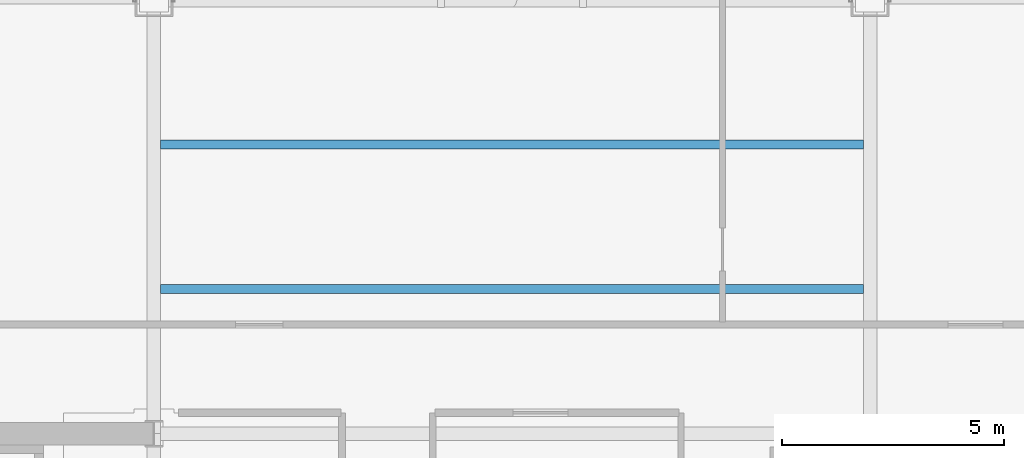
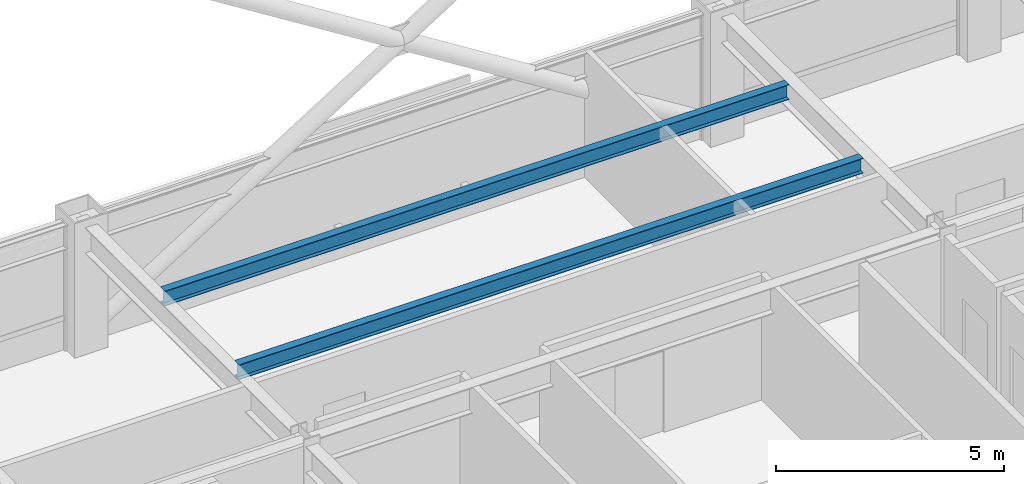
# One storey, part 22 of 34: 2 beams.
"""IFC4 building model written with IfcOpenShell, lengths in metres."""

from ifc_helpers import new_model, si_unit, direction, frame, origin, origin_2d, place, context, subcontext, project, spatial, i_section, extrude, material, material_profile, profile_set, type_object, element, save


model = new_model("IFC4")

# Units and contexts
model_context = context("Model", 3, precision=1e-05, world=origin(), true_north=direction((0.0, 1.0)))
body_context = subcontext(model_context, "Body", "Model", "MODEL_VIEW")
ifc_project = project(units=[si_unit("LENGTHUNIT", "METRE"), si_unit("AREAUNIT", "SQUARE_METRE"), si_unit("VOLUMEUNIT", "CUBIC_METRE"), si_unit("PLANEANGLEUNIT", "RADIAN"), si_unit("MASSUNIT", "GRAM", prefix="KILO")], contexts=[model_context])

# Site, building, storey
site_placement = place(None, origin())
site = spatial("IfcSite", under=ifc_project, at=site_placement, CompositionType="ELEMENT")
building_placement = place(site_placement, origin())
building = spatial("IfcBuilding", under=site, at=building_placement, Name="Brelmoor Portico Tower", CompositionType="ELEMENT")
storey_placement = place(building_placement, frame((0.0, 0.0, 99.0)))
storey = spatial("IfcBuildingStorey", under=building, at=storey_placement, Name="L25", CompositionType="ELEMENT", Elevation=99.0)

# Beams
ifc_material = material(Name="Steel Q355B", Category="steel")
ifc_material_profile = material_profile(ifc_material, i_section(OverallWidth=0.199951171875, OverallDepth=0.39990234375, WebThickness=0.008056640625, FlangeThickness=0.012939453125, at=origin_2d()), Name="HN 400x200x8x13")
ifc_profile_set = profile_set([ifc_material_profile], Name="Steel Q355B")
beam_type = type_object("IfcBeamType", Name="BM-JS-400", PredefinedType="JOIST", material=ifc_profile_set)
for number, where, z_axis, x_axis, name in (
    (1, (-7.89990234375, 13.0, 3.199951171875), (1.0, 0.0, 0.0), (0.0, 1.0, 0.0), "L25 Secondary Composite Joist JS-C03"),
    (2, (-7.89990234375, 16.25, 3.199951171875), (1.0, 0.0, 0.0), (0.0, 1.0, 0.0), "L25 Secondary Composite Joist JS-C04"),
):
    element("IfcBeam", number, at=place(storey_placement, frame(where, z_axis=z_axis, x_axis=x_axis)), inside=storey, type_object=beam_type, Name=name, PredefinedType="JOIST", context=body_context, shape_type="SweptSolid", body=[
        extrude(i_section(OverallWidth=0.199951171875, OverallDepth=0.39990234375, WebThickness=0.008056640625, FlangeThickness=0.012939453125, at=origin_2d()), origin(), (0.0, 0.0, 1.0), 15.7998046875),
    ])

save(model, "model.ifc")
